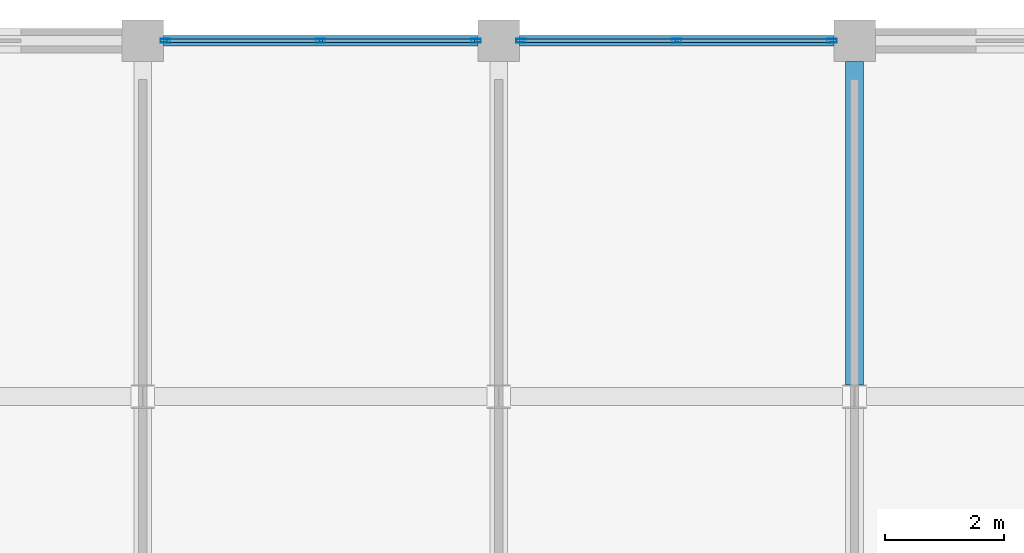
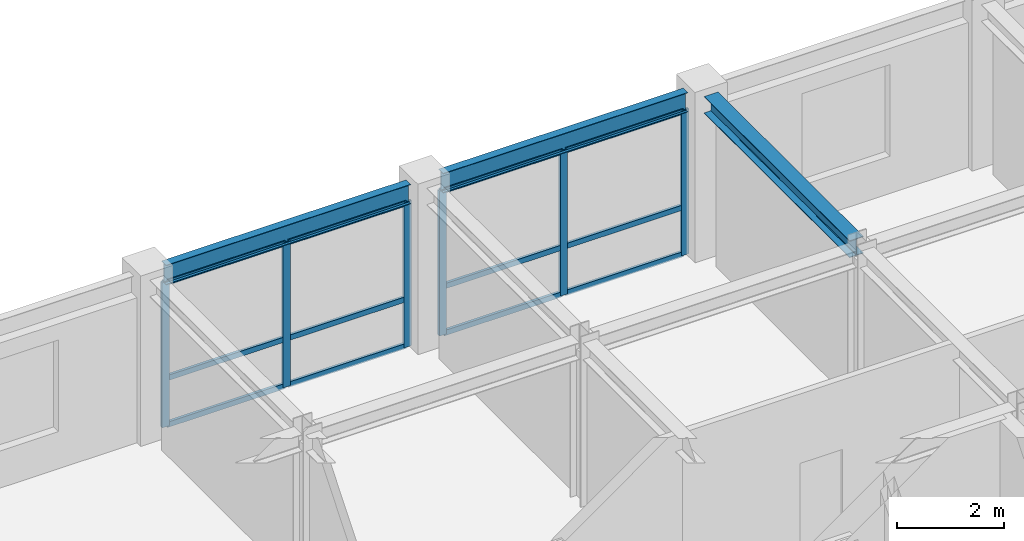
# One storey, part 6 of 13: 18 members, 3 beams, 2 elements without a shape of their own.
"""IFC4 building model written with IfcOpenShell, lengths in metres."""

import ifcopenshell
import ifcopenshell.guid

model = None  # the IFC model being written
_history = None  # IfcOwnerHistory: only IFC2X3 demands one
_inside = {}  # id of a spatial element -> (the spatial element, [elements in it])
_under = {}  # id of a project, library or spatial element -> (it, [spatial elements below it])
_declared = {}  # id of a project -> (the project, [libraries it declares])
_typed = {}  # id of a type object -> (the type object, [elements of that type])
_made_of = {}  # id of a material, layer set ... -> (it, [elements and type objects made of it])


def new_model(schema):
    """Start an empty IFC model of exactly this schema.

    Asked for "IFC4X3", IfcOpenShell would pick the latest addendum, in which some entities
    have other attributes; the version numbers below select the first issue.
    IFC2X3 requires an IfcOwnerHistory on every rooted entity: one is made here for all.
    """
    global model, _history
    if schema == "IFC4X3":
        model = ifcopenshell.file(schema_version=(4, 3, 0, 0))
    else:
        model = ifcopenshell.file(schema=schema)
    _inside.clear()
    _under.clear()
    _declared.clear()
    _typed.clear()
    _made_of.clear()
    _history = None
    if model.schema == "IFC2X3":
        org = make("IfcOrganization", Name="unknown")
        user = make(
            "IfcPersonAndOrganization",
            ThePerson=make("IfcPerson", FamilyName="unknown"),
            TheOrganization=org,
        )
        app = make(
            "IfcApplication",
            ApplicationDeveloper=org,
            Version="unknown",
            ApplicationFullName="unknown",
            ApplicationIdentifier="unknown",
        )
        _history = make(
            "IfcOwnerHistory",
            OwningUser=user,
            OwningApplication=app,
            ChangeAction="ADDED",
            CreationDate=0,
        )
    return model


def make(cls, **values):
    """One entity of the class cls with the attributes given. An attribute that is None is left unset."""
    return model.create_entity(
        cls, **{name: value for name, value in values.items() if value is not None}
    )


def rooted(cls, **values):
    """An entity with a GlobalId (a new one), such as an element, a storey or a relation."""
    return make(cls, GlobalId=ifcopenshell.guid.new(), OwnerHistory=_history, **values)


def si_unit(unit_type, name, prefix=None):
    """IfcSIUnit, for example si_unit("LENGTHUNIT", "METRE", prefix="MILLI")."""
    return make("IfcSIUnit", UnitType=unit_type, Prefix=prefix, Name=name)


def assignment(units):
    """IfcUnitAssignment: the units of a project."""
    return None if units is None else make("IfcUnitAssignment", Units=units)


def point(xyz):
    """IfcCartesianPoint."""
    return None if xyz is None else make("IfcCartesianPoint", Coordinates=xyz)


def direction(xyz):
    """IfcDirection."""
    return None if xyz is None else make("IfcDirection", DirectionRatios=xyz)


def frame(location, z_axis=None, x_axis=None):
    """IfcAxis2Placement3D, a coordinate frame: its origin and axes. An axis left out is left unset."""
    return make(
        "IfcAxis2Placement3D",
        Location=point(location),
        Axis=direction(z_axis),
        RefDirection=direction(x_axis),
    )


def frame_2d(location, x_axis=None):
    """IfcAxis2Placement2D, a coordinate frame in the plane: its origin and x axis."""
    return make(
        "IfcAxis2Placement2D", Location=point(location), RefDirection=direction(x_axis)
    )


def origin():
    """The frame at (0, 0, 0) with its axes left unset."""
    return frame((0.0, 0.0, 0.0))


def origin_2d():
    """The frame at (0, 0) in the plane with its x axis left unset."""
    return frame_2d((0.0, 0.0))


def place(relative_to, where):
    """IfcLocalPlacement: puts the frame where relative to a parent placement (None: the world)."""
    return make(
        "IfcLocalPlacement", PlacementRelTo=relative_to, RelativePlacement=where
    )


def context(
    kind, dimensions, precision=None, world=None, true_north=None, identifier=None
):
    """IfcGeometricRepresentationContext, for example the 3D "Model" context."""
    return make(
        "IfcGeometricRepresentationContext",
        ContextIdentifier=identifier,
        ContextType=kind,
        CoordinateSpaceDimension=dimensions,
        Precision=precision,
        WorldCoordinateSystem=world,
        TrueNorth=true_north,
    )


def subcontext(parent, identifier, kind, view, scale=None):
    """IfcGeometricRepresentationSubContext, for example "Body" below "Model"."""
    return make(
        "IfcGeometricRepresentationSubContext",
        ContextIdentifier=identifier,
        ContextType=kind,
        ParentContext=parent,
        TargetScale=scale,
        TargetView=view,
    )


def project(units=None, contexts=None):
    """IfcProject with its units and contexts."""
    return rooted(
        "IfcProject",
        Name="project",
        RepresentationContexts=contexts,
        UnitsInContext=assignment(units),
    )


def spatial(cls, under=None, at=None, **own):
    """A site, building, storey or space (cls), placed at a placement, below another one or the project."""
    s = rooted(cls, ObjectPlacement=at, **own)
    if under is not None:
        _under.setdefault(under.id(), (under, []))[1].append(s)
    return s


def profile(cls, at=None, kind="AREA", **sizes):
    """A parametric profile (cls). Its sizes go by their IFC names, for example OverallWidth=200.0."""
    return make(cls, ProfileType=kind, Position=at, **sizes)


def hollow_rectangle(**sizes):
    """IfcRectangleHollowProfileDef."""
    return profile("IfcRectangleHollowProfileDef", **sizes)


def i_section(**sizes):
    """IfcIShapeProfileDef."""
    return profile("IfcIShapeProfileDef", **sizes)


def extrude(swept, where, along, depth):
    """IfcExtrudedAreaSolid: the profile swept, set in the frame where, extruded along a direction by depth."""
    return make(
        "IfcExtrudedAreaSolid",
        SweptArea=swept,
        Position=where,
        ExtrudedDirection=direction(along),
        Depth=depth,
    )


def shape(context_of_items, identifier, shape_type, items):
    """IfcShapeRepresentation: the items that make up one representation, for example the "Body"."""
    return make(
        "IfcShapeRepresentation",
        ContextOfItems=context_of_items,
        RepresentationIdentifier=identifier,
        RepresentationType=shape_type,
        Items=items,
    )


def material(Name=None, Category=None):
    """IfcMaterial."""
    return make("IfcMaterial", Name=Name, Category=Category)


def layer(
    of_material, thickness, ventilated=None, Name=None, Category=None, Priority=None
):
    """IfcMaterialLayer: one layer of a wall or slab, of a material (None: an air gap)."""
    return make(
        "IfcMaterialLayer",
        Material=of_material,
        LayerThickness=thickness,
        IsVentilated=ventilated,
        Name=Name,
        Category=Category,
        Priority=Priority,
    )


def layer_set(layers, Name=None):
    """IfcMaterialLayerSet."""
    return make("IfcMaterialLayerSet", MaterialLayers=layers, LayerSetName=Name)


def material_profile(
    of_material, cross_section, Name=None, Category=None, Priority=None
):
    """IfcMaterialProfile: a cross section and its material."""
    return make(
        "IfcMaterialProfile",
        Name=Name,
        Material=of_material,
        Profile=cross_section,
        Priority=Priority,
        Category=Category,
    )


def profile_set(profiles, Name=None, composite=None):
    """IfcMaterialProfileSet."""
    return make(
        "IfcMaterialProfileSet",
        Name=Name,
        MaterialProfiles=profiles,
        CompositeProfile=composite,
    )


def made_of(thing, what):
    """Note that an element or type object is made of a material, layer set ...; save() writes the relation."""
    if what is not None:
        _made_of.setdefault(what.id(), (what, []))[1].append(thing)
    return thing


def type_object(cls, material=None, **own):
    """A type object (cls), such as IfcWallType, which elements share."""
    return made_of(rooted(cls, **own), material)


def element(
    cls,
    number,
    at=None,
    inside=None,
    cuts=None,
    type_object=None,
    material=None,
    context=None,
    identifier="Body",
    shape_type=None,
    held_by="IfcProductDefinitionShape",
    body=None,
    shapes=None,
    **own,
):
    """One element of the class cls, such as IfcWall. Its Tag is "e" and its number.

    at: its placement. inside: the storey or other place that contains it. cuts: it is an
    opening in that element (IfcRelVoidsElement). A single representation is given by context,
    identifier, shape_type and body (its items); several are given by shapes. held_by: the class
    of the entity that holds the representations. save() writes the other relations.
    """
    e = rooted(cls, Tag="e%d" % number, ObjectPlacement=at, **own)
    if body is not None:
        shapes = [shape(context, identifier, shape_type, body)]
    if shapes is not None:
        e.Representation = make(held_by, Representations=shapes)
    if inside is not None:
        _inside.setdefault(inside.id(), (inside, []))[1].append(e)
    if cuts is not None:
        rooted(
            "IfcRelVoidsElement", RelatingBuildingElement=cuts, RelatedOpeningElement=e
        )
    if type_object is not None:
        _typed.setdefault(type_object.id(), (type_object, []))[1].append(e)
    return made_of(e, material)


def aggregate(whole, parts):
    """IfcRelAggregates: a whole, such as a stair, and the parts it consists of."""
    return rooted("IfcRelAggregates", RelatingObject=whole, RelatedObjects=parts)


def save(model, path):
    """Write the relations noted so far, then the file.

    IfcRelAggregates (storeys below a building ...), IfcRelContainedInSpatialStructure (elements
    in a storey), IfcRelDefinesByType, IfcRelAssociatesMaterial and IfcRelDeclares: one each for
    every whole, place, type object, material and project.
    """
    for whole, parts in _under.values():
        aggregate(whole, parts)
    for where, things in _inside.values():
        rooted(
            "IfcRelContainedInSpatialStructure",
            RelatedElements=things,
            RelatingStructure=where,
        )
    for kind, things in _typed.values():
        rooted("IfcRelDefinesByType", RelatedObjects=things, RelatingType=kind)
    for what, things in _made_of.values():
        rooted("IfcRelAssociatesMaterial", RelatedObjects=things, RelatingMaterial=what)
    for by, libraries in _declared.values():
        rooted("IfcRelDeclares", RelatingContext=by, RelatedDefinitions=libraries)
    model.write(path)


model = new_model("IFC4")

# Units and contexts
model_context = context("Model", 3, precision=1e-05, world=origin(), true_north=direction((0.0, 1.0)))
body_context = subcontext(model_context, "Body", "Model", "MODEL_VIEW")
ifc_project = project(units=[si_unit("LENGTHUNIT", "METRE"), si_unit("AREAUNIT", "SQUARE_METRE"), si_unit("VOLUMEUNIT", "CUBIC_METRE"), si_unit("PLANEANGLEUNIT", "RADIAN"), si_unit("MASSUNIT", "GRAM", prefix="KILO")], contexts=[model_context])

# Site, building, storey
site_placement = place(None, origin())
site = spatial("IfcSite", under=ifc_project, at=site_placement, CompositionType="ELEMENT")
building_placement = place(site_placement, origin())
building = spatial("IfcBuilding", under=site, at=building_placement, Name="Zlatovratsky Civic Hall", CompositionType="ELEMENT")
storey_placement = place(building_placement, frame((0.0, 0.0, 24.89990234375)))
storey = spatial("IfcBuildingStorey", under=building, at=storey_placement, Name="L06", CompositionType="ELEMENT", Elevation=24.89990234375)

# Beams
ifc_material_1 = material(Name="Steel S355", Category="steel")
ifc_material_profile_1 = material_profile(ifc_material_1, i_section(OverallWidth=0.169921875, OverallDepth=0.446044921875, WebThickness=0.007568359375, FlangeThickness=0.010986328125, FilletRadius=0.01611328125, at=origin_2d()), Name="45B1")
ifc_profile_set_1 = profile_set([ifc_material_profile_1], Name="Steel S355")
beam_type_1 = type_object("IfcBeamType", Name="Beam_Spandrel_45B1", PredefinedType="SPANDREL", material=ifc_profile_set_1)
for number, where, z_axis, x_axis, name in (
    (1, (78.35009765625, 108.0, 3.51708984375), (1.0, 0.0, 0.0), (0.0, 1.0, 0.0), "BM-4171"),
    (2, (84.35009765625, 108.0, 3.51708984375), (1.0, 0.0, 0.0), (0.0, 1.0, 0.0), "BM-4172"),
):
    element("IfcBeam", number, at=place(storey_placement, frame(where, z_axis=z_axis, x_axis=x_axis)), inside=storey, type_object=beam_type_1, Name=name, PredefinedType="SPANDREL", context=body_context, shape_type="SweptSolid", body=[
        extrude(i_section(OverallWidth=0.169921875, OverallDepth=0.446044921875, WebThickness=0.007568359375, FlangeThickness=0.010986328125, FilletRadius=0.01611328125, at=origin_2d()), origin(), (0.0, 0.0, 1.0), 5.2998046875),
    ])
ifc_material_profile_2 = material_profile(ifc_material_1, i_section(OverallWidth=0.300048828125, OverallDepth=0.387939453125, WebThickness=0.009521484375, FlangeThickness=0.013916015625, FilletRadius=0.02197265625, at=origin_2d()), Name="40Sh1")
ifc_profile_set_2 = profile_set([ifc_material_profile_2], Name="Steel S355")
beam_type_2 = type_object("IfcBeamType", Name="Beam_TowerMid_40Sh1", PredefinedType="BEAM", material=ifc_profile_set_2)
beam_placement = place(storey_placement, frame((90.0, 102.199951171875, 3.546142578125), z_axis=(0.0, 1.0, 0.0), x_axis=(-1.0, 0.0, 0.0)))
element("IfcBeam", 3, at=beam_placement, inside=storey, type_object=beam_type_2, Name="BM-4218", PredefinedType="BEAM", context=body_context, shape_type="SweptSolid", body=[
    extrude(i_section(OverallWidth=0.300048828125, OverallDepth=0.387939453125, WebThickness=0.009521484375, FlangeThickness=0.013916015625, FilletRadius=0.02197265625, at=origin_2d()), origin(), (0.0, 0.0, 1.0), 5.449951171875),
])

# Curtain wall, members
ifc_material_2 = material(Name="Anodised bronze aluminium", Category="aluminium")
ifc_layer = layer(ifc_material_2, 0.159912109375)
ifc_layer_set = layer_set([ifc_layer], Name="Anodised bronze aluminium")
curtain_wall_type = type_object("IfcCurtainWallType", Name="CurtainWall_Bronze_5300x3320_21", PredefinedType="NOTDEFINED", material=ifc_layer_set)
curtain_wall_1_placement = place(storey_placement, origin())
curtain_wall_1 = element("IfcCurtainWall", 4, at=curtain_wall_1_placement, inside=storey, type_object=curtain_wall_type, Name="CW-135", PredefinedType="NOTDEFINED")
ifc_material_profile_3 = material_profile(ifc_material_2, hollow_rectangle(XDim=0.06005859375, YDim=0.159912109375, WallThickness=0.00390625, at=origin_2d()), Name="ALU 60x160x4")
ifc_profile_set_3 = profile_set([ifc_material_profile_3], Name="Anodised bronze aluminium")
member_type_1 = type_object("IfcMemberType", Name="CW_Mullion_60x160", PredefinedType="MULLION", material=ifc_profile_set_3)
member_1_placement = place(storey_placement, frame((78.3798828125, 108.0, 0.0), z_axis=(0.0, 0.0, 1.0), x_axis=(0.0, 1.0, 0.0)))
member_1 = element("IfcMember", 5, at=member_1_placement, type_object=member_type_1, Name="CW-21 mullion 1", PredefinedType="MULLION", context=body_context, shape_type="SweptSolid", body=[
    extrude(hollow_rectangle(XDim=0.06005859375, YDim=0.159912109375, WallThickness=0.00390625, at=origin_2d()), origin(), (0.0, 0.0, 1.0), 3.320068359375),
])
member_2_placement = place(storey_placement, frame((81.0, 108.0, 0.0), z_axis=(0.0, 0.0, 1.0), x_axis=(0.0, 1.0, 0.0)))
member_2 = element("IfcMember", 6, at=member_2_placement, type_object=member_type_1, Name="CW-21 mullion 2", PredefinedType="MULLION", context=body_context, shape_type="SweptSolid", body=[
    extrude(hollow_rectangle(XDim=0.06005859375, YDim=0.159912109375, WallThickness=0.00390625, at=origin_2d()), origin(), (0.0, 0.0, 1.0), 3.320068359375),
])
member_3_placement = place(storey_placement, frame((83.6201171875, 108.0, 0.0), z_axis=(0.0, 0.0, 1.0), x_axis=(0.0, 1.0, 0.0)))
member_3 = element("IfcMember", 7, at=member_3_placement, type_object=member_type_1, Name="CW-21 mullion 3", PredefinedType="MULLION", context=body_context, shape_type="SweptSolid", body=[
    extrude(hollow_rectangle(XDim=0.06005859375, YDim=0.159912109375, WallThickness=0.00390625, at=origin_2d()), origin(), (0.0, 0.0, 1.0), 3.320068359375),
])

curtain_wall_2_placement = place(storey_placement, origin())
curtain_wall_2 = element("IfcCurtainWall", 8, at=curtain_wall_2_placement, inside=storey, type_object=curtain_wall_type, Name="CW-136", PredefinedType="NOTDEFINED")
member_4_placement = place(storey_placement, frame((84.3798828125, 108.0, 0.0), z_axis=(0.0, 0.0, 1.0), x_axis=(0.0, 1.0, 0.0)))
member_4 = element("IfcMember", 9, at=member_4_placement, type_object=member_type_1, Name="CW-21 mullion 1", PredefinedType="MULLION", context=body_context, shape_type="SweptSolid", body=[
    extrude(hollow_rectangle(XDim=0.06005859375, YDim=0.159912109375, WallThickness=0.00390625, at=origin_2d()), origin(), (0.0, 0.0, 1.0), 3.320068359375),
])
member_5_placement = place(storey_placement, frame((87.0, 108.0, 0.0), z_axis=(0.0, 0.0, 1.0), x_axis=(0.0, 1.0, 0.0)))
member_5 = element("IfcMember", 10, at=member_5_placement, type_object=member_type_1, Name="CW-21 mullion 2", PredefinedType="MULLION", context=body_context, shape_type="SweptSolid", body=[
    extrude(hollow_rectangle(XDim=0.06005859375, YDim=0.159912109375, WallThickness=0.00390625, at=origin_2d()), origin(), (0.0, 0.0, 1.0), 3.320068359375),
])
member_6_placement = place(storey_placement, frame((89.6201171875, 108.0, 0.0), z_axis=(0.0, 0.0, 1.0), x_axis=(0.0, 1.0, 0.0)))
member_6 = element("IfcMember", 11, at=member_6_placement, type_object=member_type_1, Name="CW-21 mullion 3", PredefinedType="MULLION", context=body_context, shape_type="SweptSolid", body=[
    extrude(hollow_rectangle(XDim=0.06005859375, YDim=0.159912109375, WallThickness=0.00390625, at=origin_2d()), origin(), (0.0, 0.0, 1.0), 3.320068359375),
])

# Member
ifc_material_profile_4 = material_profile(ifc_material_2, hollow_rectangle(XDim=0.06005859375, YDim=0.1201171875, WallThickness=0.00390625, at=origin_2d()), Name="ALU 60x120x4")
ifc_profile_set_4 = profile_set([ifc_material_profile_4], Name="Anodised bronze aluminium")
member_type_2 = type_object("IfcMemberType", Name="CW_Transom_60x120", PredefinedType="USERDEFINED", material=ifc_profile_set_4)
member_7_placement = place(storey_placement, frame((78.409912109375, 108.0, 0.030029296875), z_axis=(1.0, 0.0, 0.0), x_axis=(0.0, 1.0, 0.0)))
member_7 = element("IfcMember", 12, at=member_7_placement, type_object=member_type_2, Name="CW-21 transom 1.1", ObjectType="TRANSOM", PredefinedType="USERDEFINED", context=body_context, shape_type="SweptSolid", body=[
    extrude(hollow_rectangle(XDim=0.06005859375, YDim=0.1201171875, WallThickness=0.00390625, at=origin_2d()), origin(), (0.0, 0.0, 1.0), 2.56005859375),
])

member_8_placement = place(storey_placement, frame((78.409912109375, 108.0, 1.10009765625), z_axis=(1.0, 0.0, 0.0), x_axis=(0.0, 1.0, 0.0)))
member_8 = element("IfcMember", 13, at=member_8_placement, type_object=member_type_2, Name="CW-21 transom 1.2", ObjectType="TRANSOM", PredefinedType="USERDEFINED", context=body_context, shape_type="SweptSolid", body=[
    extrude(hollow_rectangle(XDim=0.06005859375, YDim=0.1201171875, WallThickness=0.00390625, at=origin_2d()), origin(), (0.0, 0.0, 1.0), 2.56005859375),
])

member_9_placement = place(storey_placement, frame((78.409912109375, 108.0, 3.2900390625), z_axis=(1.0, 0.0, 0.0), x_axis=(0.0, 1.0, 0.0)))
member_9 = element("IfcMember", 14, at=member_9_placement, type_object=member_type_2, Name="CW-21 transom 1.3", ObjectType="TRANSOM", PredefinedType="USERDEFINED", context=body_context, shape_type="SweptSolid", body=[
    extrude(hollow_rectangle(XDim=0.06005859375, YDim=0.1201171875, WallThickness=0.00390625, at=origin_2d()), origin(), (0.0, 0.0, 1.0), 2.56005859375),
])

member_10_placement = place(storey_placement, frame((81.030029296875, 108.0, 0.030029296875), z_axis=(1.0, 0.0, 0.0), x_axis=(0.0, 1.0, 0.0)))
member_10 = element("IfcMember", 15, at=member_10_placement, type_object=member_type_2, Name="CW-21 transom 2.1", ObjectType="TRANSOM", PredefinedType="USERDEFINED", context=body_context, shape_type="SweptSolid", body=[
    extrude(hollow_rectangle(XDim=0.06005859375, YDim=0.1201171875, WallThickness=0.00390625, at=origin_2d()), origin(), (0.0, 0.0, 1.0), 2.56005859375),
])

member_11_placement = place(storey_placement, frame((81.030029296875, 108.0, 1.10009765625), z_axis=(1.0, 0.0, 0.0), x_axis=(0.0, 1.0, 0.0)))
member_11 = element("IfcMember", 16, at=member_11_placement, type_object=member_type_2, Name="CW-21 transom 2.2", ObjectType="TRANSOM", PredefinedType="USERDEFINED", context=body_context, shape_type="SweptSolid", body=[
    extrude(hollow_rectangle(XDim=0.06005859375, YDim=0.1201171875, WallThickness=0.00390625, at=origin_2d()), origin(), (0.0, 0.0, 1.0), 2.56005859375),
])

member_12_placement = place(storey_placement, frame((81.030029296875, 108.0, 3.2900390625), z_axis=(1.0, 0.0, 0.0), x_axis=(0.0, 1.0, 0.0)))
member_12 = element("IfcMember", 17, at=member_12_placement, type_object=member_type_2, Name="CW-21 transom 2.3", ObjectType="TRANSOM", PredefinedType="USERDEFINED", context=body_context, shape_type="SweptSolid", body=[
    extrude(hollow_rectangle(XDim=0.06005859375, YDim=0.1201171875, WallThickness=0.00390625, at=origin_2d()), origin(), (0.0, 0.0, 1.0), 2.56005859375),
])

aggregate(curtain_wall_1, [member_1, member_2, member_3, member_7, member_8, member_9, member_10, member_11, member_12])

member_13_placement = place(storey_placement, frame((84.409912109375, 108.0, 0.030029296875), z_axis=(1.0, 0.0, 0.0), x_axis=(0.0, 1.0, 0.0)))
member_13 = element("IfcMember", 18, at=member_13_placement, type_object=member_type_2, Name="CW-21 transom 1.1", ObjectType="TRANSOM", PredefinedType="USERDEFINED", context=body_context, shape_type="SweptSolid", body=[
    extrude(hollow_rectangle(XDim=0.06005859375, YDim=0.1201171875, WallThickness=0.00390625, at=origin_2d()), origin(), (0.0, 0.0, 1.0), 2.56005859375),
])

member_14_placement = place(storey_placement, frame((84.409912109375, 108.0, 1.10009765625), z_axis=(1.0, 0.0, 0.0), x_axis=(0.0, 1.0, 0.0)))
member_14 = element("IfcMember", 19, at=member_14_placement, type_object=member_type_2, Name="CW-21 transom 1.2", ObjectType="TRANSOM", PredefinedType="USERDEFINED", context=body_context, shape_type="SweptSolid", body=[
    extrude(hollow_rectangle(XDim=0.06005859375, YDim=0.1201171875, WallThickness=0.00390625, at=origin_2d()), origin(), (0.0, 0.0, 1.0), 2.56005859375),
])

member_15_placement = place(storey_placement, frame((84.409912109375, 108.0, 3.2900390625), z_axis=(1.0, 0.0, 0.0), x_axis=(0.0, 1.0, 0.0)))
member_15 = element("IfcMember", 20, at=member_15_placement, type_object=member_type_2, Name="CW-21 transom 1.3", ObjectType="TRANSOM", PredefinedType="USERDEFINED", context=body_context, shape_type="SweptSolid", body=[
    extrude(hollow_rectangle(XDim=0.06005859375, YDim=0.1201171875, WallThickness=0.00390625, at=origin_2d()), origin(), (0.0, 0.0, 1.0), 2.56005859375),
])

member_16_placement = place(storey_placement, frame((87.030029296875, 108.0, 0.030029296875), z_axis=(1.0, 0.0, 0.0), x_axis=(0.0, 1.0, 0.0)))
member_16 = element("IfcMember", 21, at=member_16_placement, type_object=member_type_2, Name="CW-21 transom 2.1", ObjectType="TRANSOM", PredefinedType="USERDEFINED", context=body_context, shape_type="SweptSolid", body=[
    extrude(hollow_rectangle(XDim=0.06005859375, YDim=0.1201171875, WallThickness=0.00390625, at=origin_2d()), origin(), (0.0, 0.0, 1.0), 2.56005859375),
])

member_17_placement = place(storey_placement, frame((87.030029296875, 108.0, 1.10009765625), z_axis=(1.0, 0.0, 0.0), x_axis=(0.0, 1.0, 0.0)))
member_17 = element("IfcMember", 22, at=member_17_placement, type_object=member_type_2, Name="CW-21 transom 2.2", ObjectType="TRANSOM", PredefinedType="USERDEFINED", context=body_context, shape_type="SweptSolid", body=[
    extrude(hollow_rectangle(XDim=0.06005859375, YDim=0.1201171875, WallThickness=0.00390625, at=origin_2d()), origin(), (0.0, 0.0, 1.0), 2.56005859375),
])

member_18_placement = place(storey_placement, frame((87.030029296875, 108.0, 3.2900390625), z_axis=(1.0, 0.0, 0.0), x_axis=(0.0, 1.0, 0.0)))
member_18 = element("IfcMember", 23, at=member_18_placement, type_object=member_type_2, Name="CW-21 transom 2.3", ObjectType="TRANSOM", PredefinedType="USERDEFINED", context=body_context, shape_type="SweptSolid", body=[
    extrude(hollow_rectangle(XDim=0.06005859375, YDim=0.1201171875, WallThickness=0.00390625, at=origin_2d()), origin(), (0.0, 0.0, 1.0), 2.56005859375),
])

aggregate(curtain_wall_2, [member_4, member_5, member_6, member_13, member_14, member_15, member_16, member_17, member_18])

save(model, "model.ifc")
